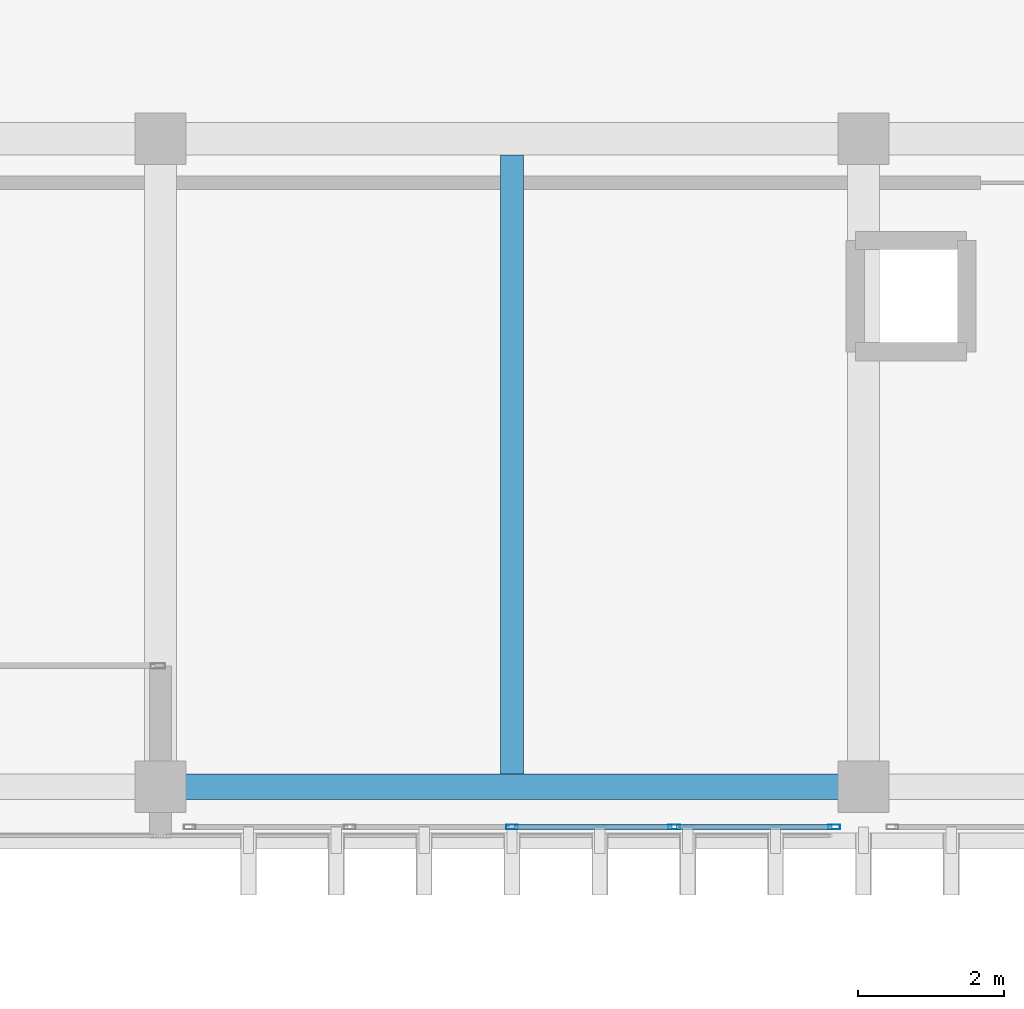
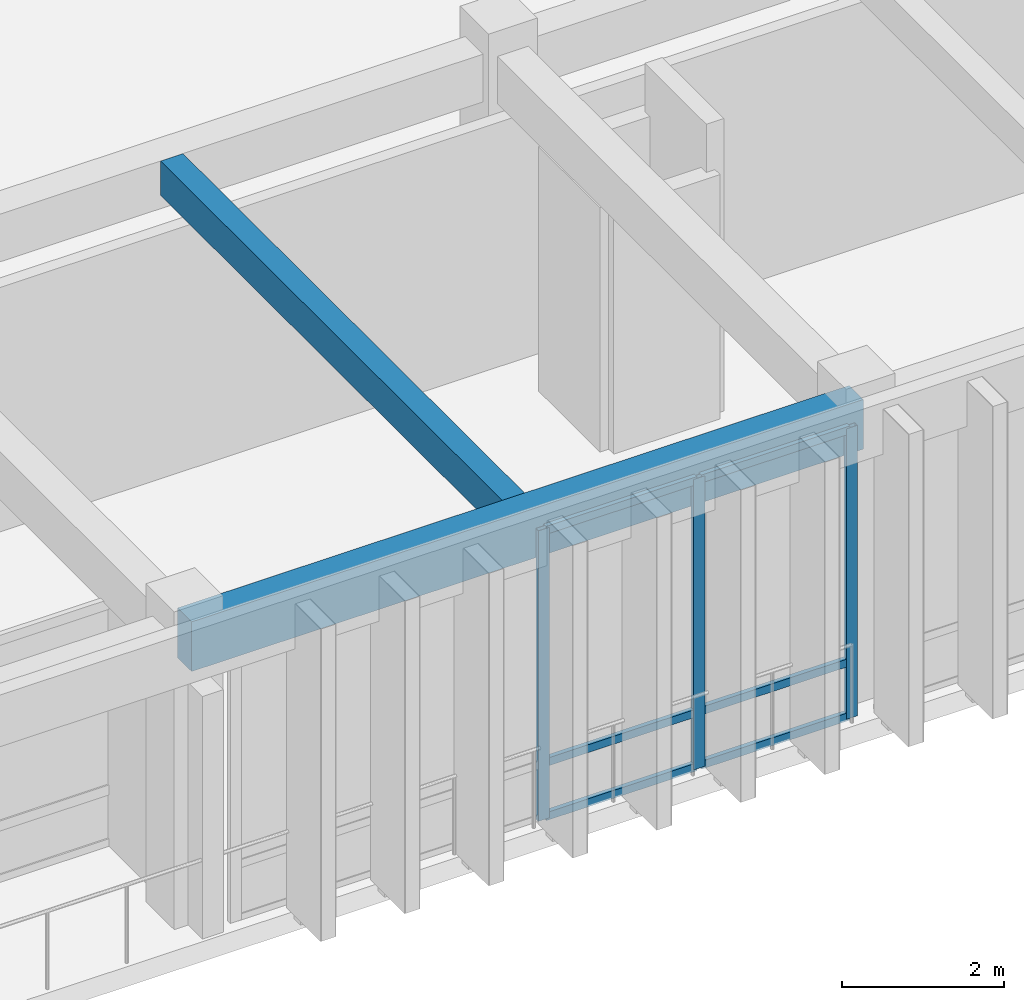
# One storey, part 12 of 133: 9 members, 2 beams, 1 element without a shape of its own.
"""IFC4 building model written with IfcOpenShell, lengths in metres."""

from ifc_helpers import new_model, si_unit, direction, frame, origin, origin_2d, place, context, subcontext, project, spatial, rectangle, hollow_rectangle, extrude, material, layer, layer_set, material_profile, profile_set, type_object, element, aggregate, save


model = new_model("IFC4")

# Units and contexts
model_context = context("Model", 3, precision=1e-05, world=origin(), true_north=direction((0.0, 1.0)))
body_context = subcontext(model_context, "Body", "Model", "MODEL_VIEW")
ifc_project = project(units=[si_unit("LENGTHUNIT", "METRE"), si_unit("AREAUNIT", "SQUARE_METRE"), si_unit("VOLUMEUNIT", "CUBIC_METRE"), si_unit("PLANEANGLEUNIT", "RADIAN"), si_unit("MASSUNIT", "GRAM", prefix="KILO")], contexts=[model_context])

# Site, building, storey
site_placement = place(None, origin())
site = spatial("IfcSite", under=ifc_project, at=site_placement, CompositionType="ELEMENT")
building_placement = place(site_placement, origin())
building = spatial("IfcBuilding", under=site, at=building_placement, Name="Nakhvara Creek Congress Hotel", CompositionType="ELEMENT")
storey_placement = place(building_placement, frame((0.0, 0.0, 11.39990234375)))
storey = spatial("IfcBuildingStorey", under=building, at=storey_placement, Name="L02", CompositionType="ELEMENT", Elevation=11.39990234375)

# Beams
ifc_material_1 = material(Name="Concrete C40/50", Category="concrete")
ifc_material_profile_1 = material_profile(ifc_material_1, rectangle(XDim=0.320068359375, YDim=0.52001953125, at=origin_2d()), Name="RC-BM 320x520", Category="LoadBearing")
ifc_profile_set_1 = profile_set([ifc_material_profile_1], Name="Concrete C40/50")
beam_type_1 = type_object("IfcBeamType", Name="BM-RC-320X520", PredefinedType="JOIST", material=ifc_profile_set_1)
beam_1_placement = place(storey_placement, frame((91.199951171875, 0.925048828125, 4.16015625), z_axis=(0.0, 1.0, 0.0), x_axis=(-1.0, 0.0, 0.0)))
element("IfcBeam", 1, at=beam_1_placement, inside=storey, type_object=beam_type_1, Name="Secondary Joist BJ2-L02-1672", PredefinedType="JOIST", context=body_context, shape_type="SweptSolid", body=[
    extrude(rectangle(XDim=0.320068359375, YDim=0.52001953125, at=origin_2d()), origin(), (0.0, 0.0, 1.0), 8.454833984375),
])
ifc_material_profile_2 = material_profile(ifc_material_1, rectangle(XDim=0.35009765625, YDim=0.75, at=origin_2d()), Name="RC-SPANDREL 350x750", Category="LoadBearing")
ifc_profile_set_2 = profile_set([ifc_material_profile_2], Name="Concrete C40/50")
beam_type_2 = type_object("IfcBeamType", Name="BM-SPN-350X750", PredefinedType="SPANDREL", material=ifc_profile_set_2)
beam_2_placement = place(storey_placement, frame((86.39990234375, 0.75, 4.045166015625), z_axis=(1.0, 0.0, 0.0), x_axis=(0.0, 1.0, 0.0)))
element("IfcBeam", 2, at=beam_2_placement, inside=storey, type_object=beam_type_2, Name="Beam SP1-L02-1467", PredefinedType="SPANDREL", context=body_context, shape_type="SweptSolid", body=[
    extrude(rectangle(XDim=0.35009765625, YDim=0.75, at=origin_2d()), origin(), (0.0, 0.0, 1.0), 9.60009765625),
])

# Curtain wall, members
ifc_material_2 = material(Name="Bronze-anodised aluminium AW-6063-T6 and double-silver low-E glass", Category="aluminium")
ifc_layer = layer(ifc_material_2, 0.199951171875)
ifc_layer_set = layer_set([ifc_layer], Name="Bronze-anodised aluminium AW-6063-T6 and double-silver low-E glass")
curtain_wall_type = type_object("IfcCurtainWallType", Name="CW-SPA-STICK", PredefinedType="NOTDEFINED", material=ifc_layer_set)
curtain_wall_placement = place(storey_placement, origin())
curtain_wall = element("IfcCurtainWall", 3, at=curtain_wall_placement, inside=storey, type_object=curtain_wall_type, Name="Curtain Wall CW093", PredefinedType="NOTDEFINED")
ifc_material_3 = material(Name="Bronze-anodised aluminium AW-6063-T6", Category="aluminium")
ifc_material_profile_3 = material_profile(ifc_material_3, hollow_rectangle(XDim=0.06494140625, YDim=0.159912109375, WallThickness=0.00390625, at=origin_2d()), Name="ALU-MULL 65x160x4", Category="LoadBearing")
ifc_profile_set_3 = profile_set([ifc_material_profile_3], Name="Bronze-anodised aluminium AW-6063-T6")
member_type_1 = type_object("IfcMemberType", Name="CW-MULL-160", PredefinedType="MULLION", material=ifc_profile_set_3)
member_1_placement = place(storey_placement, frame((95.6025390625, 0.199951171875, 0.0), z_axis=(0.0, 0.0, 1.0), x_axis=(0.0, -1.0, 0.0)))
member_1 = element("IfcMember", 4, at=member_1_placement, type_object=member_type_1, Name="CW093 mullion 1", PredefinedType="MULLION", context=body_context, shape_type="SweptSolid", body=[
    extrude(hollow_rectangle(XDim=0.06494140625, YDim=0.159912109375, WallThickness=0.00390625, at=origin_2d()), origin(), (0.0, 0.0, 1.0), 4.39013671875),
])
member_2_placement = place(storey_placement, frame((93.41748046875, 0.199951171875, 0.0), z_axis=(0.0, 0.0, 1.0), x_axis=(0.0, -1.0, 0.0)))
member_2 = element("IfcMember", 5, at=member_2_placement, type_object=member_type_1, Name="CW093 mullion 2", PredefinedType="MULLION", context=body_context, shape_type="SweptSolid", body=[
    extrude(hollow_rectangle(XDim=0.06494140625, YDim=0.159912109375, WallThickness=0.00390625, at=origin_2d()), origin(), (0.0, 0.0, 1.0), 4.39013671875),
])
member_3_placement = place(storey_placement, frame((91.199951171875, 0.199951171875, 0.0), z_axis=(0.0, 0.0, 1.0), x_axis=(0.0, -1.0, 0.0)))
member_3 = element("IfcMember", 6, at=member_3_placement, type_object=member_type_1, Name="CW093 mullion 3", PredefinedType="MULLION", context=body_context, shape_type="SweptSolid", body=[
    extrude(hollow_rectangle(XDim=0.06494140625, YDim=0.159912109375, WallThickness=0.00390625, at=origin_2d()), origin(), (0.0, 0.0, 1.0), 4.39013671875),
])
ifc_material_profile_4 = material_profile(ifc_material_3, hollow_rectangle(XDim=0.06494140625, YDim=0.1201171875, WallThickness=0.00390625, at=origin_2d()), Name="ALU-TRAN 65x120x4", Category="LoadBearing")
ifc_profile_set_4 = profile_set([ifc_material_profile_4], Name="Bronze-anodised aluminium AW-6063-T6")
member_type_2 = type_object("IfcMemberType", Name="CW-TRAN-120", PredefinedType="USERDEFINED", material=ifc_profile_set_4)
member_4_placement = place(storey_placement, frame((95.570068359375, 0.199951171875, 0.03271484375), z_axis=(-1.0, 0.0, 0.0), x_axis=(0.0, -1.0, 0.0)))
member_4 = element("IfcMember", 7, at=member_4_placement, type_object=member_type_2, Name="CW093 transom 1.1", ObjectType="TRANSOM", PredefinedType="USERDEFINED", context=body_context, shape_type="SweptSolid", body=[
    extrude(hollow_rectangle(XDim=0.06494140625, YDim=0.1201171875, WallThickness=0.00390625, at=origin_2d()), origin(), (0.0, 0.0, 1.0), 2.1201171875),
])
member_5_placement = place(storey_placement, frame((95.570068359375, 0.199951171875, 0.85009765625), z_axis=(-1.0, 0.0, 0.0), x_axis=(0.0, -1.0, 0.0)))
member_5 = element("IfcMember", 8, at=member_5_placement, type_object=member_type_2, Name="CW093 transom 1.2", ObjectType="TRANSOM", PredefinedType="USERDEFINED", context=body_context, shape_type="SweptSolid", body=[
    extrude(hollow_rectangle(XDim=0.06494140625, YDim=0.1201171875, WallThickness=0.00390625, at=origin_2d()), origin(), (0.0, 0.0, 1.0), 2.1201171875),
])
member_6_placement = place(storey_placement, frame((95.570068359375, 0.199951171875, 4.357666015625), z_axis=(-1.0, 0.0, 0.0), x_axis=(0.0, -1.0, 0.0)))
member_6 = element("IfcMember", 9, at=member_6_placement, type_object=member_type_2, Name="CW093 transom 1.3", ObjectType="TRANSOM", PredefinedType="USERDEFINED", context=body_context, shape_type="SweptSolid", body=[
    extrude(hollow_rectangle(XDim=0.06494140625, YDim=0.1201171875, WallThickness=0.00390625, at=origin_2d()), origin(), (0.0, 0.0, 1.0), 2.1201171875),
])
member_7_placement = place(storey_placement, frame((93.385009765625, 0.199951171875, 0.03271484375), z_axis=(-1.0, 0.0, 0.0), x_axis=(0.0, -1.0, 0.0)))
member_7 = element("IfcMember", 10, at=member_7_placement, type_object=member_type_2, Name="CW093 transom 2.1", ObjectType="TRANSOM", PredefinedType="USERDEFINED", context=body_context, shape_type="SweptSolid", body=[
    extrude(hollow_rectangle(XDim=0.06494140625, YDim=0.1201171875, WallThickness=0.00390625, at=origin_2d()), origin(), (0.0, 0.0, 1.0), 2.152587890625),
])
member_8_placement = place(storey_placement, frame((93.385009765625, 0.199951171875, 0.85009765625), z_axis=(-1.0, 0.0, 0.0), x_axis=(0.0, -1.0, 0.0)))
member_8 = element("IfcMember", 11, at=member_8_placement, type_object=member_type_2, Name="CW093 transom 2.2", ObjectType="TRANSOM", PredefinedType="USERDEFINED", context=body_context, shape_type="SweptSolid", body=[
    extrude(hollow_rectangle(XDim=0.06494140625, YDim=0.1201171875, WallThickness=0.00390625, at=origin_2d()), origin(), (0.0, 0.0, 1.0), 2.152587890625),
])
member_9_placement = place(storey_placement, frame((93.385009765625, 0.199951171875, 4.357666015625), z_axis=(-1.0, 0.0, 0.0), x_axis=(0.0, -1.0, 0.0)))
member_9 = element("IfcMember", 12, at=member_9_placement, type_object=member_type_2, Name="CW093 transom 2.3", ObjectType="TRANSOM", PredefinedType="USERDEFINED", context=body_context, shape_type="SweptSolid", body=[
    extrude(hollow_rectangle(XDim=0.06494140625, YDim=0.1201171875, WallThickness=0.00390625, at=origin_2d()), origin(), (0.0, 0.0, 1.0), 2.152587890625),
])
aggregate(curtain_wall, [member_1, member_2, member_3, member_4, member_5, member_6, member_7, member_8, member_9])

save(model, "model.ifc")
